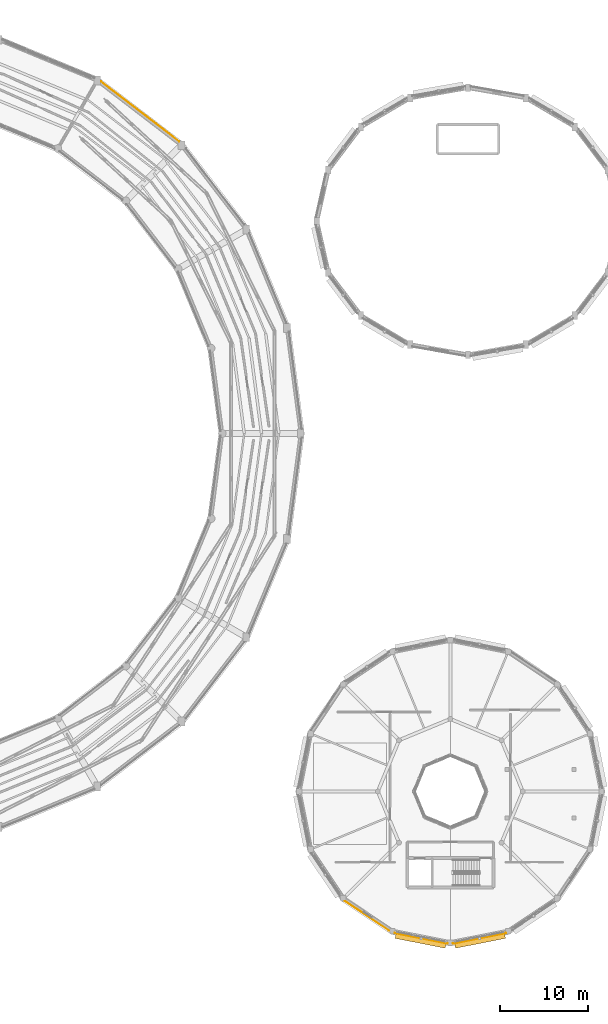
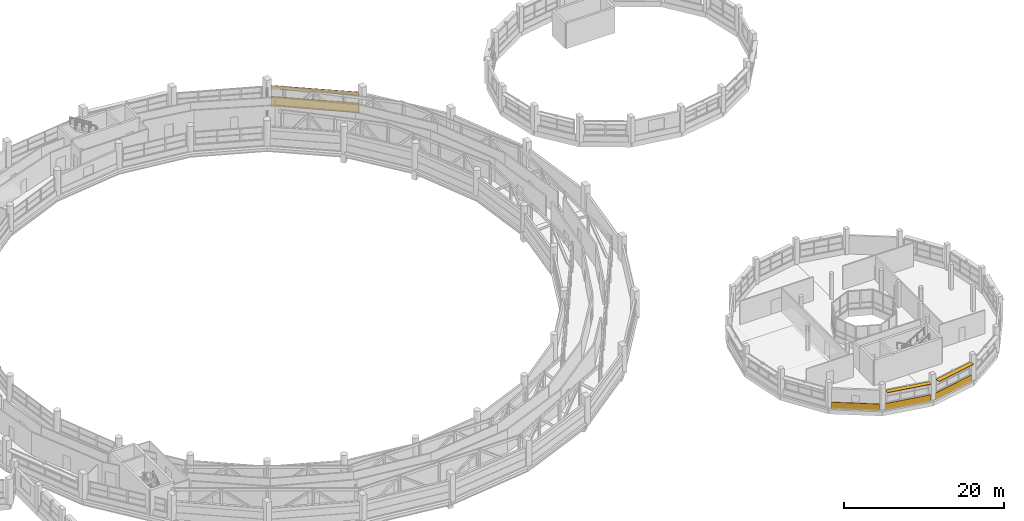
# One storey, part 119 of 121: 5 coverings, 2 shading devices.
"""IFC4 building model written with IfcOpenShell, lengths in metres."""

from ifc_helpers import new_model, si_unit, direction, frame, frame_2d, origin, origin_2d, place, context, subcontext, project, spatial, rectangle, extrude, material, layer, layer_set, type_object, element, save


model = new_model("IFC4")

# Units and contexts
model_context = context("Model", 3, precision=1e-05, world=origin(), true_north=direction((0.0, 1.0)))
body_context = subcontext(model_context, "Body", "Model", "MODEL_VIEW")
ifc_project = project(units=[si_unit("LENGTHUNIT", "METRE"), si_unit("AREAUNIT", "SQUARE_METRE"), si_unit("VOLUMEUNIT", "CUBIC_METRE"), si_unit("PLANEANGLEUNIT", "RADIAN"), si_unit("MASSUNIT", "GRAM", prefix="KILO")], contexts=[model_context])

# Site, building, storey
site_placement = place(None, origin())
site = spatial("IfcSite", under=ifc_project, at=site_placement, CompositionType="ELEMENT")
building_placement = place(site_placement, origin())
building = spatial("IfcBuilding", under=site, at=building_placement, Name="Vespera Passage Community Centre", CompositionType="ELEMENT")
storey_placement = place(building_placement, frame((0.0, 0.0, 8.699951171875)))
storey = spatial("IfcBuildingStorey", under=building, at=storey_placement, Name="L02", CompositionType="ELEMENT", Elevation=8.699951171875)

# Coverings
ifc_material_1 = material(Name="Precast concrete f'c 40 MPa", Category="concrete")
ifc_layer = layer(ifc_material_1, 0.06005859375)
ifc_layer_set = layer_set([ifc_layer], Name="Precast concrete f'c 40 MPa")
covering_type = type_object("IfcCoveringType", Name="COV-CLAD-60E", PredefinedType="CLADDING", material=ifc_layer_set)
covering_1_placement = place(storey_placement, frame((101.5087890625, 105.2861328125, -0.47998046875), z_axis=(0.0, 0.0, 1.0), x_axis=(0.793342066679, -0.608776120785, 0.0)))
element("IfcCovering", 1, at=covering_1_placement, inside=storey, type_object=covering_type, Name="V4 L02 Outer Truss Spandrel Band O3", PredefinedType="CLADDING", context=body_context, shape_type="SweptSolid", body=[
    extrude(rectangle(XDim=11.13916015625, YDim=0.06005859375, at=frame_2d((5.569580078125, 0.0))), origin(), (0.0, 0.0, 1.0), 1.530029296875),
])
covering_2_placement = place(storey_placement, frame((101.5087890625, 105.2861328125, 2.15576171875), z_axis=(0.0, 0.0, 1.0), x_axis=(0.793342066679, -0.608776120785, 0.0)))
element("IfcCovering", 2, at=covering_2_placement, inside=storey, type_object=covering_type, Name="V4 L02 Outer Truss Frieze Band O3", PredefinedType="CLADDING", context=body_context, shape_type="SweptSolid", body=[
    extrude(rectangle(XDim=11.13916015625, YDim=0.06005859375, at=frame_2d((5.569580078125, 0.0))), origin(), (0.0, 0.0, 1.0), 0.5498046875),
])
covering_3_placement = place(storey_placement, frame((134.08251953125, 9.246826171875, -0.260009765625), z_axis=(0.0, 0.0, 1.0), x_axis=(-0.831467707354, 0.555573083966, 0.0)))
element("IfcCovering", 3, at=covering_3_placement, inside=storey, type_object=covering_type, Name="V3 L02 White Sill Band 11", PredefinedType="CLADDING", context=body_context, shape_type="SweptSolid", body=[
    extrude(rectangle(XDim=6.00048828125, YDim=0.06005859375, at=frame_2d((3.000244140625, 0.0))), origin(), (0.0, 0.0, 1.0), 1.080078125),
])
for number, where, z_axis, x_axis, name in (
    (4, (140.69140625, 7.7880859375, -0.260009765625), (0.0, 0.0, 1.0), (-0.98078300119, 0.195101780047, 0.0), "V3 L02 White Spandrel Band 12"),
    (5, (147.301513671875, 8.980224609375, -0.260009765625), (0.0, 0.0, 1.0), (-0.98078300119, -0.195101780047, 0.0), "V3 L02 White Spandrel Band 13"),
):
    element("IfcCovering", number, at=place(storey_placement, frame(where, z_axis=z_axis, x_axis=x_axis)), inside=storey, type_object=covering_type, Name=name, PredefinedType="CLADDING", context=body_context, shape_type="SweptSolid", body=[
        extrude(rectangle(XDim=6.1103515625, YDim=0.06005859375, at=frame_2d((3.05517578125, 0.0))), origin(), (0.0, 0.0, 1.0), 1.06005859375),
    ])

# Shading devices
ifc_material_2 = material(Name="Anodized aluminium 6063-T6", Category="aluminium")
shading_device_type = type_object("IfcShadingDeviceType", Name="SHD-EYEBROW", PredefinedType="JALOUSIE", material=ifc_material_2)
for number, where, z_axis, x_axis, name in (
    (6, (137.64208984375, 8.119384765625, 2.7451171875), (0.0, 0.0, 1.0), (-0.980785280403, 0.195090322016, 0.0), "V3 L02 Solar Eyebrow 12"),
    (7, (144.35791015625, 8.119384765625, 2.7451171875), (0.0, 0.0, 1.0), (-0.980785280403, -0.195090322016, 0.0), "V3 L02 Solar Eyebrow 13"),
):
    element("IfcShadingDevice", number, at=place(storey_placement, frame(where, z_axis=z_axis, x_axis=x_axis)), inside=storey, type_object=shading_device_type, Name=name, PredefinedType="JALOUSIE", context=body_context, shape_type="SweptSolid", body=[
        extrude(rectangle(XDim=5.76025390625, YDim=0.60009765625, at=origin_2d()), origin(), (0.0, 0.0, 1.0), 0.080078125),
    ])

save(model, "model.ifc")
